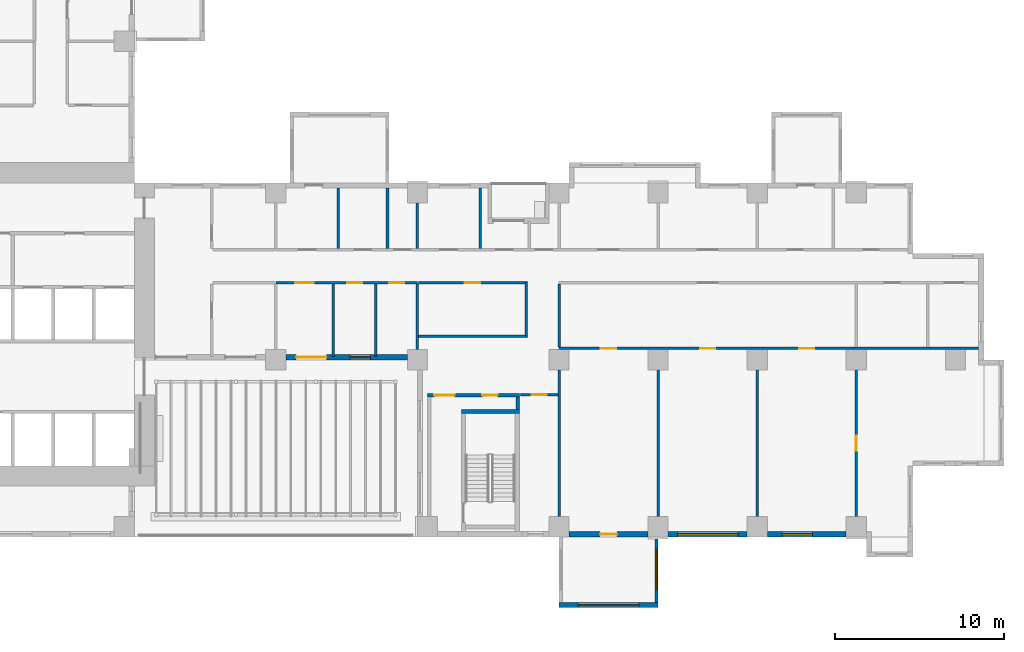
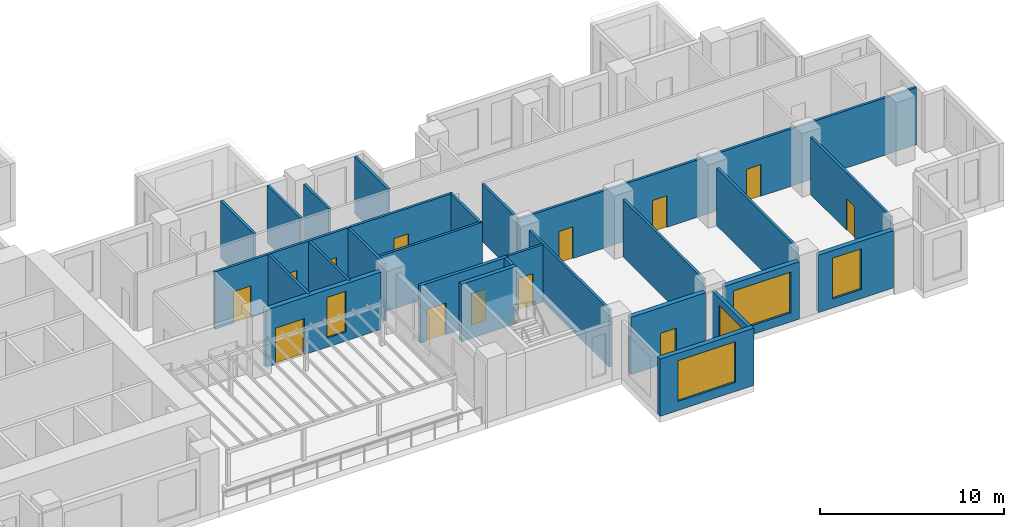
# One storey, part 6 of 16: 27 walls, 13 doors, 5 windows, 18 openings.
"""IFC4 building model written with IfcOpenShell, lengths in metres."""

from ifc_helpers import new_model, si_unit, direction, frame, frame_2d, origin, place, context, subcontext, project, spatial, rectangle, extrude, source, transform, mapped, material, layer, layer_set, type_object, element, fill, save


model = new_model("IFC4")

# Units and contexts
model_context = context("Model", 3, precision=1e-05, world=origin(), true_north=direction((0.0, 1.0)))
body_context = subcontext(model_context, "Body", "Model", "MODEL_VIEW")
ifc_project = project(units=[si_unit("LENGTHUNIT", "METRE"), si_unit("AREAUNIT", "SQUARE_METRE"), si_unit("VOLUMEUNIT", "CUBIC_METRE"), si_unit("PLANEANGLEUNIT", "RADIAN"), si_unit("MASSUNIT", "GRAM", prefix="KILO")], contexts=[model_context])

# Site, building, storey
site_placement = place(None, origin())
site = spatial("IfcSite", under=ifc_project, at=site_placement, CompositionType="ELEMENT")
building_placement = place(site_placement, origin())
building = spatial("IfcBuilding", under=site, at=building_placement, Name="Aurelian Terraces", CompositionType="ELEMENT")
storey_placement = place(building_placement, frame((0.0, 0.0, 95.1)))
storey = spatial("IfcBuildingStorey", under=building, at=storey_placement, Name="L20", CompositionType="ELEMENT", Elevation=95.1)

# Wall, openings, door, window
ifc_material_1 = material(Name="Terracotta rainscreen cladding", Category="masonry")
ifc_layer_1 = layer(ifc_material_1, 0.3)
ifc_layer_set_1 = layer_set([ifc_layer_1], Name="EW-300")
wall_type_1 = type_object("IfcWallType", Name="EW-300", PredefinedType="STANDARD", material=ifc_layer_set_1)
shared_shape_1 = source(origin(), body_context, "Body", "SweptSolid", [
    extrude(rectangle(XDim=7.2, YDim=0.3, at=frame_2d((3.6, 0.0))), origin(), (0.0, 0.0, 1.0), 3.8),
])
wall_1_placement = place(storey_placement, frame((30.0, 10.65, 0.0), z_axis=(0.0, 0.0, 1.0), x_axis=(1.0, 0.0, 0.0)))
wall_1 = element("IfcWall", 1, at=wall_1_placement, inside=storey, type_object=wall_type_1, Name="External wall L20 F03.7", PredefinedType="STANDARD", context=body_context, shape_type="MappedRepresentation", body=[
    mapped(shared_shape_1, transform((0.0, 0.0, 0.0), scale=1.0)),
])
shared_shape_2 = source(origin(), body_context, "Body", "SweptSolid", [
    extrude(rectangle(XDim=1.8, YDim=2.4, at=frame_2d((0.9, 1.2))), frame((0.0, 0.16, 0.0), z_axis=(0.0, -1.0, 0.0), x_axis=(1.0, 0.0, 0.0)), (0.0, 0.0, 1.0), 0.32),
])
opening_1_placement = place(wall_1_placement, frame((0.6, 0.0, 0.0)))
opening_1 = element("IfcOpeningElement", 2, at=opening_1_placement, cuts=wall_1, Name="Opening 82004", PredefinedType="OPENING", context=body_context, shape_type="MappedRepresentation", body=[
    mapped(shared_shape_2, transform((0.0, 0.0, 0.0), scale=1.0)),
])
shared_shape_3 = source(origin(), body_context, "Body", "SweptSolid", [
    extrude(rectangle(XDim=1.2, YDim=2.7, at=frame_2d((0.6, 1.35))), frame((0.0, 0.16, 0.0), z_axis=(0.0, -1.0, 0.0), x_axis=(1.0, 0.0, 0.0)), (0.0, 0.0, 1.0), 0.32),
])
opening_2_placement = place(wall_1_placement, frame((3.807, 0.0, 0.6)))
opening_2 = element("IfcOpeningElement", 3, at=opening_2_placement, cuts=wall_1, Name="Opening W1227", PredefinedType="OPENING", context=body_context, shape_type="MappedRepresentation", body=[
    mapped(shared_shape_3, transform((0.0, 0.0, 0.0), scale=1.0)),
])
ifc_material_2 = material(Name="Clear glazing", Category="glass")
door_type_1 = type_object("IfcDoorType", Name="BD-1800x2400", OperationType="SLIDING_TO_LEFT", PredefinedType="DOOR", material=ifc_material_2)
shared_shape_4 = source(origin(), body_context, "Body", "SweptSolid", [
    extrude(rectangle(XDim=1.8, YDim=2.4, at=frame_2d((0.9, 1.2))), frame((0.0, 0.025, 0.0), z_axis=(0.0, -1.0, 0.0), x_axis=(1.0, 0.0, 0.0)), (0.0, 0.0, 1.0), 0.05),
])
door_1_placement = place(opening_1_placement, origin())
door_1 = element("IfcDoor", 4, at=door_1_placement, inside=storey, type_object=door_type_1, Name="Terrace door L20 L20-F03-07.1", OperationType="SLIDING_TO_LEFT", OverallHeight=2.4, OverallWidth=1.8, PredefinedType="DOOR", context=body_context, shape_type="MappedRepresentation", body=[
    mapped(shared_shape_4, transform((0.0, 0.0, 0.0), scale=1.0)),
])
fill(opening_1, door_1)
window_type_1 = type_object("IfcWindowType", Name="W-1200x2700", PartitioningType="SINGLE_PANEL", PredefinedType="WINDOW", material=ifc_material_2)
shared_shape_5 = source(origin(), body_context, "Body", "SweptSolid", [
    extrude(rectangle(XDim=1.2, YDim=2.7, at=frame_2d((0.6, 1.35))), frame((0.0, 0.03, 0.0), z_axis=(0.0, -1.0, 0.0), x_axis=(1.0, 0.0, 0.0)), (0.0, 0.0, 1.0), 0.06),
])
window_1_placement = place(opening_2_placement, origin())
window_1 = element("IfcWindow", 5, at=window_1_placement, inside=storey, type_object=window_type_1, Name="Window L20 L20-F03-07-G0-31", OverallHeight=2.7, OverallWidth=1.2, PartitioningType="SINGLE_PANEL", PredefinedType="WINDOW", context=body_context, shape_type="MappedRepresentation", body=[
    mapped(shared_shape_5, transform((0.0, 0.0, 0.0), scale=1.0)),
])
fill(opening_2, window_1)

# Wall, opening, door
shared_shape_6 = source(origin(), body_context, "Body", "SweptSolid", [
    extrude(rectangle(XDim=4.68, YDim=0.3, at=frame_2d((2.34, 0.0))), origin(), (0.0, 0.0, 1.0), 3.8),
])
wall_2_placement = place(storey_placement, frame((46.8, 0.15, 0.0), z_axis=(0.0, 0.0, 1.0), x_axis=(1.0, 0.0, 0.0)))
wall_2 = element("IfcWall", 6, at=wall_2_placement, inside=storey, type_object=wall_type_1, Name="External wall L20 F05.10", PredefinedType="STANDARD", context=body_context, shape_type="MappedRepresentation", body=[
    mapped(shared_shape_6, transform((0.0, 0.0, 0.0), scale=1.0)),
])
shared_shape_7 = source(origin(), body_context, "Body", "SweptSolid", [
    extrude(rectangle(XDim=1.0, YDim=2.1, at=frame_2d((0.5, 1.05))), frame((0.0, 0.16, 0.0), z_axis=(0.0, -1.0, 0.0), x_axis=(1.0, 0.0, 0.0)), (0.0, 0.0, 1.0), 0.32),
])
opening_3_placement = place(wall_2_placement, frame((1.84, 0.0, 0.0)))
opening_3 = element("IfcOpeningElement", 7, at=opening_3_placement, cuts=wall_2, Name="Opening 820004", PredefinedType="OPENING", context=body_context, shape_type="MappedRepresentation", body=[
    mapped(shared_shape_7, transform((0.0, 0.0, 0.0), scale=1.0)),
])
ifc_material_3 = material(Name="Timber door leaf", Category="wood")
door_type_2 = type_object("IfcDoorType", Name="Room door 1000x2100 left", OperationType="SINGLE_SWING_LEFT", PredefinedType="DOOR", material=ifc_material_3)
shared_shape_8 = source(origin(), body_context, "Body", "SweptSolid", [
    extrude(rectangle(XDim=1.0, YDim=2.1, at=frame_2d((0.5, 1.05))), frame((0.0, 0.025, 0.0), z_axis=(0.0, -1.0, 0.0), x_axis=(1.0, 0.0, 0.0)), (0.0, 0.0, 1.0), 0.05),
])
door_2_placement = place(opening_3_placement, origin())
door_2 = element("IfcDoor", 8, at=door_2_placement, inside=storey, type_object=door_type_2, Name="Door 820004", OperationType="SINGLE_SWING_LEFT", OverallHeight=2.1, OverallWidth=1.0, PredefinedType="DOOR", context=body_context, shape_type="MappedRepresentation", body=[
    mapped(shared_shape_8, transform((0.0, 0.0, 0.0), scale=1.0)),
])
fill(opening_3, door_2)

# Wall, opening, window
wall_3_placement = place(storey_placement, frame((52.68, 0.15, 0.0), z_axis=(0.0, 0.0, 1.0), x_axis=(1.0, 0.0, 0.0)))
wall_3 = element("IfcWall", 9, at=wall_3_placement, inside=storey, type_object=wall_type_1, Name="External wall L20 F05.11", PredefinedType="STANDARD", context=body_context, shape_type="MappedRepresentation", body=[
    mapped(shared_shape_6, transform((0.0, 0.0, 0.0), scale=1.0)),
])
shared_shape_9 = source(origin(), body_context, "Body", "SweptSolid", [
    extrude(rectangle(XDim=3.6, YDim=2.7, at=frame_2d((1.8, 1.35))), frame((0.0, 0.16, 0.0), z_axis=(0.0, -1.0, 0.0), x_axis=(1.0, 0.0, 0.0)), (0.0, 0.0, 1.0), 0.32),
])
opening_4_placement = place(wall_3_placement, frame((0.54, 0.0, 0.6)))
opening_4 = element("IfcOpeningElement", 10, at=opening_4_placement, cuts=wall_3, Name="Opening W3627", PredefinedType="OPENING", context=body_context, shape_type="MappedRepresentation", body=[
    mapped(shared_shape_9, transform((0.0, 0.0, 0.0), scale=1.0)),
])
window_type_2 = type_object("IfcWindowType", Name="W-3600x2700", PartitioningType="SINGLE_PANEL", PredefinedType="WINDOW", material=ifc_material_2)
shared_shape_10 = source(origin(), body_context, "Body", "SweptSolid", [
    extrude(rectangle(XDim=3.6, YDim=2.7, at=frame_2d((1.8, 1.35))), frame((0.0, 0.03, 0.0), z_axis=(0.0, -1.0, 0.0), x_axis=(1.0, 0.0, 0.0)), (0.0, 0.0, 1.0), 0.06),
])
window_2_placement = place(opening_4_placement, origin())
window_2 = element("IfcWindow", 11, at=window_2_placement, inside=storey, type_object=window_type_2, Name="Window L20 L20-F05-11-0", OverallHeight=2.7, OverallWidth=3.6, PartitioningType="SINGLE_PANEL", PredefinedType="WINDOW", context=body_context, shape_type="MappedRepresentation", body=[
    mapped(shared_shape_10, transform((0.0, 0.0, 0.0), scale=1.0)),
])
fill(opening_4, window_2)

wall_4_placement = place(storey_placement, frame((58.56, 0.15, 0.0), z_axis=(0.0, 0.0, 1.0), x_axis=(1.0, 0.0, 0.0)))
wall_4 = element("IfcWall", 12, at=wall_4_placement, inside=storey, type_object=wall_type_1, Name="External wall L20 F05.12", PredefinedType="STANDARD", context=body_context, shape_type="MappedRepresentation", body=[
    mapped(shared_shape_6, transform((0.0, 0.0, 0.0), scale=1.0)),
])
shared_shape_11 = source(origin(), body_context, "Body", "SweptSolid", [
    extrude(rectangle(XDim=1.8, YDim=2.7, at=frame_2d((0.9, 1.35))), frame((0.0, 0.16, 0.0), z_axis=(0.0, -1.0, 0.0), x_axis=(1.0, 0.0, 0.0)), (0.0, 0.0, 1.0), 0.32),
])
opening_5_placement = place(wall_4_placement, frame((0.8775, 0.0, 0.6)))
opening_5 = element("IfcOpeningElement", 13, at=opening_5_placement, cuts=wall_4, Name="Opening W1827", PredefinedType="OPENING", context=body_context, shape_type="MappedRepresentation", body=[
    mapped(shared_shape_11, transform((0.0, 0.0, 0.0), scale=1.0)),
])
window_type_3 = type_object("IfcWindowType", Name="W-1800x2700", PartitioningType="SINGLE_PANEL", PredefinedType="WINDOW", material=ifc_material_2)
shared_shape_12 = source(origin(), body_context, "Body", "SweptSolid", [
    extrude(rectangle(XDim=1.8, YDim=2.7, at=frame_2d((0.9, 1.35))), frame((0.0, 0.03, 0.0), z_axis=(0.0, -1.0, 0.0), x_axis=(1.0, 0.0, 0.0)), (0.0, 0.0, 1.0), 0.06),
])
window_3_placement = place(opening_5_placement, origin())
window_3 = element("IfcWindow", 14, at=window_3_placement, inside=storey, type_object=window_type_3, Name="Window L20 L20-F05-12-0", OverallHeight=2.7, OverallWidth=1.8, PartitioningType="SINGLE_PANEL", PredefinedType="WINDOW", context=body_context, shape_type="MappedRepresentation", body=[
    mapped(shared_shape_12, transform((0.0, 0.0, 0.0), scale=1.0)),
])
fill(opening_5, window_3)

ifc_material_4 = material(Name="Concrete fc' 40 MPa", Category="concrete")
ifc_layer_2 = layer(ifc_material_4, 0.2)
ifc_layer_set_2 = layer_set([ifc_layer_2], Name="BOX BEARING WALL 200")
wall_type_2 = type_object("IfcWallType", Name="BOX BEARING WALL 200", PredefinedType="SOLIDWALL", material=ifc_layer_set_2)
shared_shape_13 = source(origin(), body_context, "Body", "SweptSolid", [
    extrude(rectangle(XDim=3.9, YDim=0.2, at=frame_2d((1.95, 0.0))), origin(), (0.0, 0.0, 1.0), 3.79),
])
wall_5_placement = place(storey_placement, frame((51.98, 0.0, 0.0), z_axis=(0.0, 0.0, 1.0), x_axis=(0.0, -1.0, 0.0)))
wall_5 = element("IfcWall", 15, at=wall_5_placement, inside=storey, type_object=wall_type_2, Name="Box return L20 J28.2", PredefinedType="SOLIDWALL", context=body_context, shape_type="MappedRepresentation", body=[
    mapped(shared_shape_13, transform((0.0, 0.0, 0.0), scale=1.0)),
])
shared_shape_14 = source(origin(), body_context, "Body", "SweptSolid", [
    extrude(rectangle(XDim=2.4, YDim=2.7, at=frame_2d((1.2, 1.35))), frame((0.0, 0.11, 0.0), z_axis=(0.0, -1.0, 0.0), x_axis=(1.0, 0.0, 0.0)), (0.0, 0.0, 1.0), 0.22),
])
opening_6_placement = place(wall_5_placement, frame((0.75, 0.0, 0.6)))
opening_6 = element("IfcOpeningElement", 16, at=opening_6_placement, cuts=wall_5, Name="Opening W2427", PredefinedType="OPENING", context=body_context, shape_type="MappedRepresentation", body=[
    mapped(shared_shape_14, transform((0.0, 0.0, 0.0), scale=1.0)),
])
window_type_4 = type_object("IfcWindowType", Name="W-2400x2700", PartitioningType="SINGLE_PANEL", PredefinedType="WINDOW", material=ifc_material_2)
shared_shape_15 = source(origin(), body_context, "Body", "SweptSolid", [
    extrude(rectangle(XDim=2.4, YDim=2.7, at=frame_2d((1.2, 1.35))), frame((0.0, 0.03, 0.0), z_axis=(0.0, -1.0, 0.0), x_axis=(1.0, 0.0, 0.0)), (0.0, 0.0, 1.0), 0.06),
])
window_4_placement = place(opening_6_placement, origin())
window_4 = element("IfcWindow", 17, at=window_4_placement, inside=storey, type_object=window_type_4, Name="Window L20 J28-S2", OverallHeight=2.7, OverallWidth=2.4, PartitioningType="SINGLE_PANEL", PredefinedType="WINDOW", context=body_context, shape_type="MappedRepresentation", body=[
    mapped(shared_shape_15, transform((0.0, 0.0, 0.0), scale=1.0)),
])
fill(opening_6, window_4)

ifc_layer_3 = layer(ifc_material_4, 0.3)
ifc_layer_set_3 = layer_set([ifc_layer_3], Name="BOX BEARING WALL 300")
wall_type_3 = type_object("IfcWallType", Name="BOX BEARING WALL 300", PredefinedType="SOLIDWALL", material=ifc_layer_set_3)
shared_shape_16 = source(origin(), body_context, "Body", "SweptSolid", [
    extrude(rectangle(XDim=5.88, YDim=0.3, at=frame_2d((2.94, 0.0))), origin(), (0.0, 0.0, 1.0), 3.79),
])
wall_6_placement = place(storey_placement, frame((46.2, -4.05, 0.0), z_axis=(0.0, 0.0, 1.0), x_axis=(1.0, 0.0, 0.0)))
wall_6 = element("IfcWall", 18, at=wall_6_placement, inside=storey, type_object=wall_type_3, Name="Box wall L20 J28", PredefinedType="SOLIDWALL", context=body_context, shape_type="MappedRepresentation", body=[
    mapped(shared_shape_16, transform((0.0, 0.0, 0.0), scale=1.0)),
])
opening_7_placement = place(wall_6_placement, frame((1.14, 0.0, 0.6)))
opening_7 = element("IfcOpeningElement", 19, at=opening_7_placement, cuts=wall_6, Name="Opening W3627", PredefinedType="OPENING", context=body_context, shape_type="MappedRepresentation", body=[
    mapped(shared_shape_9, transform((0.0, 0.0, 0.0), scale=1.0)),
])
window_5_placement = place(opening_7_placement, origin())
window_5 = element("IfcWindow", 20, at=window_5_placement, inside=storey, type_object=window_type_2, Name="Window L20 J28-F1", OverallHeight=2.7, OverallWidth=3.6, PartitioningType="SINGLE_PANEL", PredefinedType="WINDOW", context=body_context, shape_type="MappedRepresentation", body=[
    mapped(shared_shape_10, transform((0.0, 0.0, 0.0), scale=1.0)),
])
fill(opening_7, window_5)

# Wall
ifc_layer_4 = layer(ifc_material_4, 0.25)
ifc_layer_set_4 = layer_set([ifc_layer_4], Name="Stair enclosure wall 250")
wall_type_4 = type_object("IfcWallType", Name="Stair enclosure wall 250", PredefinedType="SOLIDWALL", material=ifc_layer_set_4)
shared_shape_17 = source(origin(), body_context, "Body", "SweptSolid", [
    extrude(rectangle(XDim=3.45, YDim=0.25, at=frame_2d((1.725, 0.0))), origin(), (0.0, 0.0, 1.0), 3.8),
])
wall_7_placement = place(storey_placement, frame((40.4, 7.425, 0.0), z_axis=(0.0, 0.0, 1.0), x_axis=(1.0, 0.0, 0.0)))
element("IfcWall", 21, at=wall_7_placement, inside=storey, type_object=wall_type_4, Name="L20 core wall ST-S2-N", PredefinedType="SOLIDWALL", context=body_context, shape_type="MappedRepresentation", body=[
    mapped(shared_shape_17, transform((0.0, 0.0, 0.0), scale=1.0)),
])

# Wall, openings, doors
ifc_material_5 = material(Name="Gypsum board on steel studs", Category="steel")
ifc_layer_5 = layer(ifc_material_5, 0.2)
ifc_layer_set_5 = layer_set([ifc_layer_5], Name="Core partition 200")
wall_type_5 = type_object("IfcWallType", Name="Core partition 200", PredefinedType="PARTITIONING", material=ifc_layer_set_5)
shared_shape_18 = source(origin(), body_context, "Body", "SweptSolid", [
    extrude(rectangle(XDim=5.45, YDim=0.2, at=frame_2d((2.725, 0.0))), origin(), (0.0, 0.0, 1.0), 3.8),
])
wall_8_placement = place(storey_placement, frame((38.4, 8.4, 0.0), z_axis=(0.0, 0.0, 1.0), x_axis=(1.0, 0.0, 0.0)))
wall_8 = element("IfcWall", 22, at=wall_8_placement, inside=storey, type_object=wall_type_5, Name="L20 core wall ST-S2-BN", PredefinedType="PARTITIONING", context=body_context, shape_type="MappedRepresentation", body=[
    mapped(shared_shape_18, transform((0.0, 0.0, 0.0), scale=1.0)),
])
shared_shape_19 = source(origin(), body_context, "Body", "SweptSolid", [
    extrude(rectangle(XDim=1.2, YDim=2.1, at=frame_2d((0.6, 1.05))), frame((0.0, 0.11, 0.0), z_axis=(0.0, -1.0, 0.0), x_axis=(1.0, 0.0, 0.0)), (0.0, 0.0, 1.0), 0.22),
])
opening_8_placement = place(wall_8_placement, frame((0.4, 0.0, 0.0)))
opening_8 = element("IfcOpeningElement", 23, at=opening_8_placement, cuts=wall_8, Name="Opening 62316", PredefinedType="OPENING", context=body_context, shape_type="MappedRepresentation", body=[
    mapped(shared_shape_19, transform((0.0, 0.0, 0.0), scale=1.0)),
])
shared_shape_20 = source(origin(), body_context, "Body", "SweptSolid", [
    extrude(rectangle(XDim=0.9, YDim=2.1, at=frame_2d((0.45, 1.05))), frame((0.0, 0.11, 0.0), z_axis=(0.0, -1.0, 0.0), x_axis=(1.0, 0.0, 0.0)), (0.0, 0.0, 1.0), 0.22),
])
opening_9_placement = place(wall_8_placement, frame((3.25, 0.0, 0.0)))
opening_9 = element("IfcOpeningElement", 24, at=opening_9_placement, cuts=wall_8, Name="Opening 62317", PredefinedType="OPENING", context=body_context, shape_type="MappedRepresentation", body=[
    mapped(shared_shape_20, transform((0.0, 0.0, 0.0), scale=1.0)),
])
ifc_material_6 = material(Name="Steel door leaf", Category="steel")
door_type_3 = type_object("IfcDoorType", Name="Core riser door 900x2100", OperationType="SINGLE_SWING_LEFT", PredefinedType="DOOR", material=ifc_material_6)
shared_shape_21 = source(origin(), body_context, "Body", "SweptSolid", [
    extrude(rectangle(XDim=0.9, YDim=2.1, at=frame_2d((0.45, 1.05))), frame((0.0, 0.025, 0.0), z_axis=(0.0, -1.0, 0.0), x_axis=(1.0, 0.0, 0.0)), (0.0, 0.0, 1.0), 0.05),
])
door_3_placement = place(opening_9_placement, origin())
door_3 = element("IfcDoor", 25, at=door_3_placement, inside=storey, type_object=door_type_3, Name="Riser door 62317", OperationType="SINGLE_SWING_LEFT", OverallHeight=2.1, OverallWidth=0.9, PredefinedType="DOOR", context=body_context, shape_type="MappedRepresentation", body=[
    mapped(shared_shape_21, transform((0.0, 0.0, 0.0), scale=1.0)),
])
fill(opening_9, door_3)
door_type_4 = type_object("IfcDoorType", Name="Core fire door 1200x2100 right", OperationType="SINGLE_SWING_RIGHT", PredefinedType="DOOR", material=ifc_material_6)
shared_shape_22 = source(origin(), body_context, "Body", "SweptSolid", [
    extrude(rectangle(XDim=1.2, YDim=2.1, at=frame_2d((0.6, 1.05))), frame((0.0, 0.025, 0.0), z_axis=(0.0, -1.0, 0.0), x_axis=(1.0, 0.0, 0.0)), (0.0, 0.0, 1.0), 0.05),
])
door_4_placement = place(opening_8_placement, origin())
door_4 = element("IfcDoor", 26, at=door_4_placement, inside=storey, type_object=door_type_4, Name="Vestibule door 62316", OperationType="SINGLE_SWING_RIGHT", OverallHeight=2.1, OverallWidth=1.2, PredefinedType="DOOR", context=body_context, shape_type="MappedRepresentation", body=[
    mapped(shared_shape_22, transform((0.0, 0.0, 0.0), scale=1.0)),
])
fill(opening_8, door_4)

# Walls
shared_shape_23 = source(origin(), body_context, "Body", "SweptSolid", [
    extrude(rectangle(XDim=0.75, YDim=0.2, at=frame_2d((0.375, 0.0))), origin(), (0.0, 0.0, 1.0), 3.8),
])
wall_9_placement = place(storey_placement, frame((43.75, 7.55, 0.0), z_axis=(0.0, 0.0, 1.0), x_axis=(0.0, 1.0, 0.0)))
element("IfcWall", 27, at=wall_9_placement, inside=storey, type_object=wall_type_5, Name="L20 core wall ST-S2-RE", PredefinedType="PARTITIONING", context=body_context, shape_type="MappedRepresentation", body=[
    mapped(shared_shape_23, transform((0.0, 0.0, 0.0), scale=1.0)),
])
ifc_layer_6 = layer(ifc_material_5, 0.15)
ifc_layer_set_6 = layer_set([ifc_layer_6], Name="Partition 150")
wall_type_6 = type_object("IfcWallType", Name="Partition 150", PredefinedType="PARTITIONING", material=ifc_layer_set_6)
shared_shape_24 = source(origin(), body_context, "Body", "SweptSolid", [
    extrude(rectangle(XDim=6.45, YDim=0.15, at=frame_2d((3.225, 0.0))), origin(), (0.0, 0.0, 1.0), 3.8),
])
wall_10_placement = place(storey_placement, frame((37.875, 11.9, 0.0), z_axis=(0.0, 0.0, 1.0), x_axis=(1.0, 0.0, 0.0)))
element("IfcWall", 28, at=wall_10_placement, inside=storey, type_object=wall_type_6, Name="Partition", PredefinedType="PARTITIONING", context=body_context, shape_type="MappedRepresentation", body=[
    mapped(shared_shape_24, transform((0.0, 0.0, 0.0), scale=1.0)),
])

# Wall, opening, door
ifc_layer_7 = layer(ifc_material_5, 0.15)
ifc_layer_set_7 = layer_set([ifc_layer_7], Name="Fire partition 150")
wall_type_7 = type_object("IfcWallType", Name="Fire partition 150", PredefinedType="PARTITIONING", material=ifc_layer_set_7)
wall_11_placement = place(storey_placement, frame((44.325, 15.075, 0.0), z_axis=(0.0, 0.0, 1.0), x_axis=(-1.0, 0.0, 0.0)))
wall_11 = element("IfcWall", 29, at=wall_11_placement, inside=storey, type_object=wall_type_7, Name="Corridor wall", PredefinedType="PARTITIONING", context=body_context, shape_type="MappedRepresentation", body=[
    mapped(shared_shape_24, transform((0.0, 0.0, 0.0), scale=1.0)),
])
shared_shape_25 = source(origin(), body_context, "Body", "SweptSolid", [
    extrude(rectangle(XDim=0.9, YDim=2.1, at=frame_2d((0.45, 1.05))), frame((0.0, 0.085, 0.0), z_axis=(0.0, -1.0, 0.0), x_axis=(1.0, 0.0, 0.0)), (0.0, 0.0, 1.0), 0.17),
])
opening_10_placement = place(wall_11_placement, frame((2.8125, 0.0, 0.0)))
opening_10 = element("IfcOpeningElement", 30, at=opening_10_placement, cuts=wall_11, Name="Opening 720003", PredefinedType="OPENING", context=body_context, shape_type="MappedRepresentation", body=[
    mapped(shared_shape_25, transform((0.0, 0.0, 0.0), scale=1.0)),
])
door_type_5 = type_object("IfcDoorType", Name="Room door 900x2100 left", OperationType="SINGLE_SWING_LEFT", PredefinedType="DOOR", material=ifc_material_3)
door_5_placement = place(opening_10_placement, origin())
door_5 = element("IfcDoor", 31, at=door_5_placement, inside=storey, type_object=door_type_5, Name="Door 720003", OperationType="SINGLE_SWING_LEFT", OverallHeight=2.1, OverallWidth=0.9, PredefinedType="DOOR", context=body_context, shape_type="MappedRepresentation", body=[
    mapped(shared_shape_21, transform((0.0, 0.0, 0.0), scale=1.0)),
])
fill(opening_10, door_5)

# Walls
shared_shape_26 = source(origin(), body_context, "Body", "SweptSolid", [
    extrude(rectangle(XDim=3.75, YDim=0.15, at=frame_2d((1.875, 0.0))), origin(), (0.0, 0.0, 1.0), 3.8),
])
wall_12_placement = place(storey_placement, frame((46.2, 11.25, 0.0), z_axis=(0.0, 0.0, 1.0), x_axis=(0.0, 1.0, 0.0)))
element("IfcWall", 32, at=wall_12_placement, inside=storey, type_object=wall_type_6, Name="Partition", PredefinedType="PARTITIONING", context=body_context, shape_type="MappedRepresentation", body=[
    mapped(shared_shape_26, transform((0.0, 0.0, 0.0), scale=1.0)),
])
shared_shape_27 = source(origin(), body_context, "Body", "SweptSolid", [
    extrude(rectangle(XDim=8.702, YDim=0.15, at=frame_2d((4.351, 0.0))), origin(), (0.0, 0.0, 1.0), 3.8),
])
for number, where, z_axis, x_axis, name in (
    (33, (52.08, 1.199, 0.0), (0.0, 0.0, 1.0), (0.0, 1.0, 0.0), "Partition"),
    (34, (57.96, 1.199, 0.0), (0.0, 0.0, 1.0), (0.0, 1.0, 0.0), "Partition"),
    (35, (46.2, 1.199, 0.0), (0.0, 0.0, 1.0), (0.0, 1.0, 0.0), "Partition"),
):
    element("IfcWall", number, at=place(storey_placement, frame(where, z_axis=z_axis, x_axis=x_axis)), inside=storey, type_object=wall_type_6, Name=name, PredefinedType="PARTITIONING", context=body_context, shape_type="MappedRepresentation", body=[
        mapped(shared_shape_27, transform((0.0, 0.0, 0.0), scale=1.0)),
    ])

# Wall, opening, door
wall_13_placement = place(storey_placement, frame((63.84, 1.199, 0.0), z_axis=(0.0, 0.0, 1.0), x_axis=(0.0, 1.0, 0.0)))
wall_13 = element("IfcWall", 36, at=wall_13_placement, inside=storey, type_object=wall_type_6, Name="Partition", PredefinedType="PARTITIONING", context=body_context, shape_type="MappedRepresentation", body=[
    mapped(shared_shape_27, transform((0.0, 0.0, 0.0), scale=1.0)),
])
opening_11_placement = place(wall_13_placement, frame((3.901, 0.0, 0.0)))
opening_11 = element("IfcOpeningElement", 37, at=opening_11_placement, cuts=wall_13, Name="Opening 720044", PredefinedType="OPENING", context=body_context, shape_type="MappedRepresentation", body=[
    mapped(shared_shape_25, transform((0.0, 0.0, 0.0), scale=1.0)),
])
door_6_placement = place(opening_11_placement, origin())
door_6 = element("IfcDoor", 38, at=door_6_placement, inside=storey, type_object=door_type_5, Name="Door 720044", OperationType="SINGLE_SWING_LEFT", OverallHeight=2.1, OverallWidth=0.9, PredefinedType="DOOR", context=body_context, shape_type="MappedRepresentation", body=[
    mapped(shared_shape_21, transform((0.0, 0.0, 0.0), scale=1.0)),
])
fill(opening_11, door_6)

# Walls
shared_shape_28 = source(origin(), body_context, "Body", "SweptSolid", [
    extrude(rectangle(XDim=3.6, YDim=0.15, at=frame_2d((1.8, 0.0))), origin(), (0.0, 0.0, 1.0), 3.8),
])
for number, where, z_axis, x_axis, name in (
    (39, (33.1133, 20.7, 0.0), (0.0, 0.0, 1.0), (0.0, -1.0, 0.0), "Partition"),
    (40, (36.024, 20.7, 0.0), (0.0, 0.0, 1.0), (0.0, -1.0, 0.0), "Partition"),
    (41, (41.5133, 20.7, 0.0), (0.0, 0.0, 1.0), (0.0, -1.0, 0.0), "Partition"),
):
    element("IfcWall", number, at=place(storey_placement, frame(where, z_axis=z_axis, x_axis=x_axis)), inside=storey, type_object=wall_type_6, Name=name, PredefinedType="PARTITIONING", context=body_context, shape_type="MappedRepresentation", body=[
        mapped(shared_shape_28, transform((0.0, 0.0, 0.0), scale=1.0)),
    ])
shared_shape_29 = source(origin(), body_context, "Body", "SweptSolid", [
    extrude(rectangle(XDim=2.701, YDim=0.15, at=frame_2d((1.3505, 0.0))), origin(), (0.0, 0.0, 1.0), 3.8),
])
wall_14_placement = place(storey_placement, frame((37.8, 17.1, 0.0), z_axis=(0.0, 0.0, 1.0), x_axis=(0.0, 1.0, 0.0)))
element("IfcWall", 42, at=wall_14_placement, inside=storey, type_object=wall_type_6, Name="Partition", PredefinedType="PARTITIONING", context=body_context, shape_type="MappedRepresentation", body=[
    mapped(shared_shape_29, transform((0.0, 0.0, 0.0), scale=1.0)),
])

# Wall, openings, doors
shared_shape_30 = source(origin(), body_context, "Body", "SweptSolid", [
    extrude(rectangle(XDim=8.4, YDim=0.15, at=frame_2d((4.2, 0.0))), origin(), (0.0, 0.0, 1.0), 3.8),
])
wall_15_placement = place(storey_placement, frame((37.8, 15.075, 0.0), z_axis=(0.0, 0.0, 1.0), x_axis=(-1.0, 0.0, 0.0)))
wall_15 = element("IfcWall", 43, at=wall_15_placement, inside=storey, type_object=wall_type_7, Name="Corridor wall", PredefinedType="PARTITIONING", context=body_context, shape_type="MappedRepresentation", body=[
    mapped(shared_shape_30, transform((0.0, 0.0, 0.0), scale=1.0)),
])
shared_shape_31 = source(origin(), body_context, "Body", "SweptSolid", [
    extrude(rectangle(XDim=1.1, YDim=2.1, at=frame_2d((0.55, 1.05))), frame((0.0, 0.085, 0.0), z_axis=(0.0, -1.0, 0.0), x_axis=(1.0, 0.0, 0.0)), (0.0, 0.0, 1.0), 0.17),
])
opening_12_placement = place(wall_15_placement, frame((6.1456, 0.0, 0.0)))
opening_12 = element("IfcOpeningElement", 44, at=opening_12_placement, cuts=wall_15, Name="Opening 720005", PredefinedType="OPENING", context=body_context, shape_type="MappedRepresentation", body=[
    mapped(shared_shape_31, transform((0.0, 0.0, 0.0), scale=1.0)),
])
opening_13_placement = place(wall_15_placement, frame((3.2762, 0.0, 0.0)))
opening_13 = element("IfcOpeningElement", 45, at=opening_13_placement, cuts=wall_15, Name="Opening 720006", PredefinedType="OPENING", context=body_context, shape_type="MappedRepresentation", body=[
    mapped(shared_shape_25, transform((0.0, 0.0, 0.0), scale=1.0)),
])
opening_14_placement = place(wall_15_placement, frame((0.7806, 0.0, 0.0)))
opening_14 = element("IfcOpeningElement", 46, at=opening_14_placement, cuts=wall_15, Name="Opening 720007", PredefinedType="OPENING", context=body_context, shape_type="MappedRepresentation", body=[
    mapped(shared_shape_25, transform((0.0, 0.0, 0.0), scale=1.0)),
])
door_type_6 = type_object("IfcDoorType", Name="Room door 900x2100 right", OperationType="SINGLE_SWING_RIGHT", PredefinedType="DOOR", material=ifc_material_3)
door_7_placement = place(opening_13_placement, origin())
door_7 = element("IfcDoor", 47, at=door_7_placement, inside=storey, type_object=door_type_6, Name="Door 720006", OperationType="SINGLE_SWING_RIGHT", OverallHeight=2.1, OverallWidth=0.9, PredefinedType="DOOR", context=body_context, shape_type="MappedRepresentation", body=[
    mapped(shared_shape_21, transform((0.0, 0.0, 0.0), scale=1.0)),
])
fill(opening_13, door_7)
door_8_placement = place(opening_14_placement, origin())
door_8 = element("IfcDoor", 48, at=door_8_placement, inside=storey, type_object=door_type_5, Name="Door 720007", OperationType="SINGLE_SWING_LEFT", OverallHeight=2.1, OverallWidth=0.9, PredefinedType="DOOR", context=body_context, shape_type="MappedRepresentation", body=[
    mapped(shared_shape_21, transform((0.0, 0.0, 0.0), scale=1.0)),
])
fill(opening_14, door_8)
door_type_7 = type_object("IfcDoorType", Name="Room door 1100x2100 right", OperationType="SINGLE_SWING_RIGHT", PredefinedType="DOOR", material=ifc_material_3)
shared_shape_32 = source(origin(), body_context, "Body", "SweptSolid", [
    extrude(rectangle(XDim=1.1, YDim=2.1, at=frame_2d((0.55, 1.05))), frame((0.0, 0.025, 0.0), z_axis=(0.0, -1.0, 0.0), x_axis=(1.0, 0.0, 0.0)), (0.0, 0.0, 1.0), 0.05),
])
door_9_placement = place(opening_12_placement, origin())
door_9 = element("IfcDoor", 49, at=door_9_placement, inside=storey, type_object=door_type_7, Name="Door 720005", OperationType="SINGLE_SWING_RIGHT", OverallHeight=2.1, OverallWidth=1.1, PredefinedType="DOOR", context=body_context, shape_type="MappedRepresentation", body=[
    mapped(shared_shape_32, transform((0.0, 0.0, 0.0), scale=1.0)),
])
fill(opening_12, door_9)

shared_shape_33 = source(origin(), body_context, "Body", "SweptSolid", [
    extrude(rectangle(XDim=24.9, YDim=0.15, at=frame_2d((12.45, 0.0))), origin(), (0.0, 0.0, 1.0), 3.8),
])
wall_16_placement = place(storey_placement, frame((71.1, 11.175, 0.0), z_axis=(0.0, 0.0, 1.0), x_axis=(-1.0, 0.0, 0.0)))
wall_16 = element("IfcWall", 50, at=wall_16_placement, inside=storey, type_object=wall_type_6, Name="Partition", PredefinedType="PARTITIONING", context=body_context, shape_type="MappedRepresentation", body=[
    mapped(shared_shape_33, transform((0.0, 0.0, 0.0), scale=1.0)),
])
opening_15_placement = place(wall_16_placement, frame((21.5125, 0.0, 0.0)))
opening_15 = element("IfcOpeningElement", 51, at=opening_15_placement, cuts=wall_16, Name="Opening 720009", PredefinedType="OPENING", context=body_context, shape_type="MappedRepresentation", body=[
    mapped(shared_shape_25, transform((0.0, 0.0, 0.0), scale=1.0)),
])
opening_16_placement = place(wall_16_placement, frame((15.6325, 0.0, 0.0)))
opening_16 = element("IfcOpeningElement", 52, at=opening_16_placement, cuts=wall_16, Name="Opening 720010", PredefinedType="OPENING", context=body_context, shape_type="MappedRepresentation", body=[
    mapped(shared_shape_25, transform((0.0, 0.0, 0.0), scale=1.0)),
])
opening_17_placement = place(wall_16_placement, frame((9.7525, 0.0, 0.0)))
opening_17 = element("IfcOpeningElement", 53, at=opening_17_placement, cuts=wall_16, Name="Opening 720011", PredefinedType="OPENING", context=body_context, shape_type="MappedRepresentation", body=[
    mapped(shared_shape_25, transform((0.0, 0.0, 0.0), scale=1.0)),
])
door_10_placement = place(opening_15_placement, origin())
door_10 = element("IfcDoor", 54, at=door_10_placement, inside=storey, type_object=door_type_5, Name="Door 720009", OperationType="SINGLE_SWING_LEFT", OverallHeight=2.1, OverallWidth=0.9, PredefinedType="DOOR", context=body_context, shape_type="MappedRepresentation", body=[
    mapped(shared_shape_21, transform((0.0, 0.0, 0.0), scale=1.0)),
])
fill(opening_15, door_10)
door_11_placement = place(opening_16_placement, origin())
door_11 = element("IfcDoor", 55, at=door_11_placement, inside=storey, type_object=door_type_6, Name="Door 720010", OperationType="SINGLE_SWING_RIGHT", OverallHeight=2.1, OverallWidth=0.9, PredefinedType="DOOR", context=body_context, shape_type="MappedRepresentation", body=[
    mapped(shared_shape_21, transform((0.0, 0.0, 0.0), scale=1.0)),
])
fill(opening_16, door_11)
door_12_placement = place(opening_17_placement, origin())
door_12 = element("IfcDoor", 56, at=door_12_placement, inside=storey, type_object=door_type_5, Name="Door 720011", OperationType="SINGLE_SWING_LEFT", OverallHeight=2.1, OverallWidth=0.9, PredefinedType="DOOR", context=body_context, shape_type="MappedRepresentation", body=[
    mapped(shared_shape_21, transform((0.0, 0.0, 0.0), scale=1.0)),
])
fill(opening_17, door_12)

# Wall
shared_shape_34 = source(origin(), body_context, "Body", "SweptSolid", [
    extrude(rectangle(XDim=3.901, YDim=0.15, at=frame_2d((1.9505, 0.0))), origin(), (0.0, 0.0, 1.0), 3.8),
])
wall_17_placement = place(storey_placement, frame((37.8, 11.099, 0.0), z_axis=(0.0, 0.0, 1.0), x_axis=(0.0, 1.0, 0.0)))
element("IfcWall", 57, at=wall_17_placement, inside=storey, type_object=wall_type_6, Name="Partition", PredefinedType="PARTITIONING", context=body_context, shape_type="MappedRepresentation", body=[
    mapped(shared_shape_34, transform((0.0, 0.0, 0.0), scale=1.0)),
])

# Wall, opening, door
shared_shape_35 = source(origin(), body_context, "Body", "SweptSolid", [
    extrude(rectangle(XDim=2.2, YDim=0.15, at=frame_2d((1.1, 0.0))), origin(), (0.0, 0.0, 1.0), 3.8),
])
wall_18_placement = place(storey_placement, frame((46.125, 8.425, 0.0), z_axis=(0.0, 0.0, 1.0), x_axis=(-1.0, 0.0, 0.0)))
wall_18 = element("IfcWall", 58, at=wall_18_placement, inside=storey, type_object=wall_type_6, Name="Partition", PredefinedType="PARTITIONING", context=body_context, shape_type="MappedRepresentation", body=[
    mapped(shared_shape_35, transform((0.0, 0.0, 0.0), scale=1.0)),
])
opening_18_placement = place(wall_18_placement, frame((0.65, 0.0, 0.0)))
opening_18 = element("IfcOpeningElement", 59, at=opening_18_placement, cuts=wall_18, Name="Opening 720004", PredefinedType="OPENING", context=body_context, shape_type="MappedRepresentation", body=[
    mapped(shared_shape_25, transform((0.0, 0.0, 0.0), scale=1.0)),
])
door_13_placement = place(opening_18_placement, origin())
door_13 = element("IfcDoor", 60, at=door_13_placement, inside=storey, type_object=door_type_5, Name="Door 720004", OperationType="SINGLE_SWING_LEFT", OverallHeight=2.1, OverallWidth=0.9, PredefinedType="DOOR", context=body_context, shape_type="MappedRepresentation", body=[
    mapped(shared_shape_21, transform((0.0, 0.0, 0.0), scale=1.0)),
])
fill(opening_18, door_13)

# Walls
shared_shape_36 = source(origin(), body_context, "Body", "SweptSolid", [
    extrude(rectangle(XDim=4.295, YDim=0.15, at=frame_2d((2.1475, 0.0))), origin(), (0.0, 0.0, 1.0), 3.8),
])
for number, where, z_axis, x_axis, name in (
    (61, (32.8088, 10.705, 0.0), (0.0, 0.0, 1.0), (0.0, 1.0, 0.0), "Partition"),
    (62, (35.3388, 10.705, 0.0), (0.0, 0.0, 1.0), (0.0, 1.0, 0.0), "Partition"),
):
    element("IfcWall", number, at=place(storey_placement, frame(where, z_axis=z_axis, x_axis=x_axis)), inside=storey, type_object=wall_type_6, Name=name, PredefinedType="PARTITIONING", context=body_context, shape_type="MappedRepresentation", body=[
        mapped(shared_shape_36, transform((0.0, 0.0, 0.0), scale=1.0)),
    ])
shared_shape_37 = source(origin(), body_context, "Body", "SweptSolid", [
    extrude(rectangle(XDim=3.175, YDim=0.15, at=frame_2d((1.5875, 0.0))), origin(), (0.0, 0.0, 1.0), 3.8),
])
wall_19_placement = place(storey_placement, frame((44.25, 11.9, 0.0), z_axis=(0.0, 0.0, 1.0), x_axis=(0.0, 1.0, 0.0)))
element("IfcWall", 63, at=wall_19_placement, inside=storey, type_object=wall_type_6, Name="Partition", PredefinedType="PARTITIONING", context=body_context, shape_type="MappedRepresentation", body=[
    mapped(shared_shape_37, transform((0.0, 0.0, 0.0), scale=1.0)),
])

save(model, "model.ifc")
